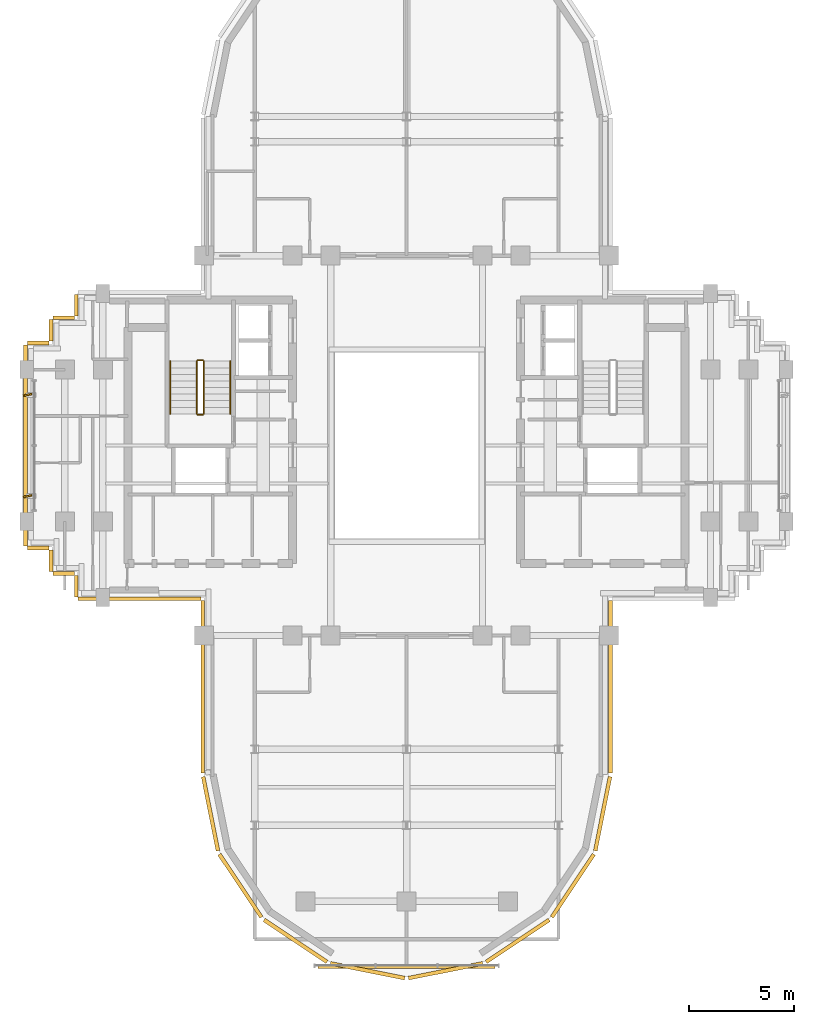
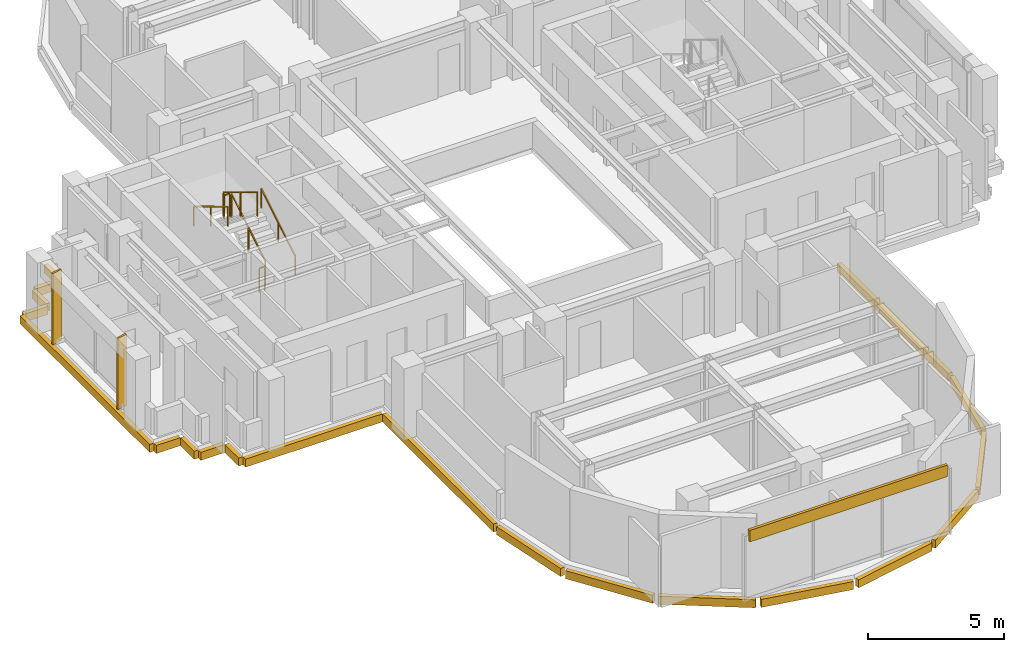
# One storey, part 10 of 12: 21 coverings, 6 railings, 2 shading devices.
"""IFC4 building model written with IfcOpenShell, lengths in metres."""

import ifcopenshell
import ifcopenshell.guid

model = None  # the IFC model being written
_history = None  # IfcOwnerHistory: only IFC2X3 demands one
_inside = {}  # id of a spatial element -> (the spatial element, [elements in it])
_under = {}  # id of a project, library or spatial element -> (it, [spatial elements below it])
_declared = {}  # id of a project -> (the project, [libraries it declares])
_typed = {}  # id of a type object -> (the type object, [elements of that type])
_made_of = {}  # id of a material, layer set ... -> (it, [elements and type objects made of it])


def new_model(schema):
    """Start an empty IFC model of exactly this schema.

    Asked for "IFC4X3", IfcOpenShell would pick the latest addendum, in which some entities
    have other attributes; the version numbers below select the first issue.
    IFC2X3 requires an IfcOwnerHistory on every rooted entity: one is made here for all.
    """
    global model, _history
    if schema == "IFC4X3":
        model = ifcopenshell.file(schema_version=(4, 3, 0, 0))
    else:
        model = ifcopenshell.file(schema=schema)
    _inside.clear()
    _under.clear()
    _declared.clear()
    _typed.clear()
    _made_of.clear()
    _history = None
    if model.schema == "IFC2X3":
        org = make("IfcOrganization", Name="unknown")
        user = make(
            "IfcPersonAndOrganization",
            ThePerson=make("IfcPerson", FamilyName="unknown"),
            TheOrganization=org,
        )
        app = make(
            "IfcApplication",
            ApplicationDeveloper=org,
            Version="unknown",
            ApplicationFullName="unknown",
            ApplicationIdentifier="unknown",
        )
        _history = make(
            "IfcOwnerHistory",
            OwningUser=user,
            OwningApplication=app,
            ChangeAction="ADDED",
            CreationDate=0,
        )
    return model


def make(cls, **values):
    """One entity of the class cls with the attributes given. An attribute that is None is left unset."""
    return model.create_entity(
        cls, **{name: value for name, value in values.items() if value is not None}
    )


def rooted(cls, **values):
    """An entity with a GlobalId (a new one), such as an element, a storey or a relation."""
    return make(cls, GlobalId=ifcopenshell.guid.new(), OwnerHistory=_history, **values)


def si_unit(unit_type, name, prefix=None):
    """IfcSIUnit, for example si_unit("LENGTHUNIT", "METRE", prefix="MILLI")."""
    return make("IfcSIUnit", UnitType=unit_type, Prefix=prefix, Name=name)


def assignment(units):
    """IfcUnitAssignment: the units of a project."""
    return None if units is None else make("IfcUnitAssignment", Units=units)


def point(xyz):
    """IfcCartesianPoint."""
    return None if xyz is None else make("IfcCartesianPoint", Coordinates=xyz)


def direction(xyz):
    """IfcDirection."""
    return None if xyz is None else make("IfcDirection", DirectionRatios=xyz)


def frame(location, z_axis=None, x_axis=None):
    """IfcAxis2Placement3D, a coordinate frame: its origin and axes. An axis left out is left unset."""
    return make(
        "IfcAxis2Placement3D",
        Location=point(location),
        Axis=direction(z_axis),
        RefDirection=direction(x_axis),
    )


def frame_2d(location, x_axis=None):
    """IfcAxis2Placement2D, a coordinate frame in the plane: its origin and x axis."""
    return make(
        "IfcAxis2Placement2D", Location=point(location), RefDirection=direction(x_axis)
    )


def origin():
    """The frame at (0, 0, 0) with its axes left unset."""
    return frame((0.0, 0.0, 0.0))


def origin_2d():
    """The frame at (0, 0) in the plane with its x axis left unset."""
    return frame_2d((0.0, 0.0))


def place(relative_to, where):
    """IfcLocalPlacement: puts the frame where relative to a parent placement (None: the world)."""
    return make(
        "IfcLocalPlacement", PlacementRelTo=relative_to, RelativePlacement=where
    )


def context(
    kind, dimensions, precision=None, world=None, true_north=None, identifier=None
):
    """IfcGeometricRepresentationContext, for example the 3D "Model" context."""
    return make(
        "IfcGeometricRepresentationContext",
        ContextIdentifier=identifier,
        ContextType=kind,
        CoordinateSpaceDimension=dimensions,
        Precision=precision,
        WorldCoordinateSystem=world,
        TrueNorth=true_north,
    )


def subcontext(parent, identifier, kind, view, scale=None):
    """IfcGeometricRepresentationSubContext, for example "Body" below "Model"."""
    return make(
        "IfcGeometricRepresentationSubContext",
        ContextIdentifier=identifier,
        ContextType=kind,
        ParentContext=parent,
        TargetScale=scale,
        TargetView=view,
    )


def project(units=None, contexts=None):
    """IfcProject with its units and contexts."""
    return rooted(
        "IfcProject",
        Name="project",
        RepresentationContexts=contexts,
        UnitsInContext=assignment(units),
    )


def spatial(cls, under=None, at=None, **own):
    """A site, building, storey or space (cls), placed at a placement, below another one or the project."""
    s = rooted(cls, ObjectPlacement=at, **own)
    if under is not None:
        _under.setdefault(under.id(), (under, []))[1].append(s)
    return s


def profile(cls, at=None, kind="AREA", **sizes):
    """A parametric profile (cls). Its sizes go by their IFC names, for example OverallWidth=200.0."""
    return make(cls, ProfileType=kind, Position=at, **sizes)


def rectangle(**sizes):
    """IfcRectangleProfileDef."""
    return profile("IfcRectangleProfileDef", **sizes)


def extrude(swept, where, along, depth):
    """IfcExtrudedAreaSolid: the profile swept, set in the frame where, extruded along a direction by depth."""
    return make(
        "IfcExtrudedAreaSolid",
        SweptArea=swept,
        Position=where,
        ExtrudedDirection=direction(along),
        Depth=depth,
    )


def shape(context_of_items, identifier, shape_type, items):
    """IfcShapeRepresentation: the items that make up one representation, for example the "Body"."""
    return make(
        "IfcShapeRepresentation",
        ContextOfItems=context_of_items,
        RepresentationIdentifier=identifier,
        RepresentationType=shape_type,
        Items=items,
    )


def source(mapping_origin, context_of_items, identifier, shape_type, items):
    """IfcRepresentationMap: a shape defined once, which mapped items show again and again."""
    return make(
        "IfcRepresentationMap",
        MappingOrigin=mapping_origin,
        MappedRepresentation=shape(context_of_items, identifier, shape_type, items),
    )


def transform(
    local_origin,
    x_axis=None,
    y_axis=None,
    z_axis=None,
    scale=None,
    scale2=None,
    scale3=None,
    uniform=True,
):
    """IfcCartesianTransformationOperator3D, or its non-uniform kind. x_axis, y_axis, z_axis: its Axis1, 2, 3."""
    if uniform:
        return make(
            "IfcCartesianTransformationOperator3D",
            Axis1=direction(x_axis),
            Axis2=direction(y_axis),
            LocalOrigin=point(local_origin),
            Scale=scale,
            Axis3=direction(z_axis),
        )
    return make(
        "IfcCartesianTransformationOperator3DnonUniform",
        Axis1=direction(x_axis),
        Axis2=direction(y_axis),
        LocalOrigin=point(local_origin),
        Scale=scale,
        Axis3=direction(z_axis),
        Scale2=scale2,
        Scale3=scale3,
    )


def mapped(mapping_source, mapping_target):
    """IfcMappedItem: shows the shape of a source again, moved by a transform."""
    return make(
        "IfcMappedItem", MappingSource=mapping_source, MappingTarget=mapping_target
    )


def material(Name=None, Category=None):
    """IfcMaterial."""
    return make("IfcMaterial", Name=Name, Category=Category)


def layer(
    of_material, thickness, ventilated=None, Name=None, Category=None, Priority=None
):
    """IfcMaterialLayer: one layer of a wall or slab, of a material (None: an air gap)."""
    return make(
        "IfcMaterialLayer",
        Material=of_material,
        LayerThickness=thickness,
        IsVentilated=ventilated,
        Name=Name,
        Category=Category,
        Priority=Priority,
    )


def layer_set(layers, Name=None):
    """IfcMaterialLayerSet."""
    return make("IfcMaterialLayerSet", MaterialLayers=layers, LayerSetName=Name)


def made_of(thing, what):
    """Note that an element or type object is made of a material, layer set ...; save() writes the relation."""
    if what is not None:
        _made_of.setdefault(what.id(), (what, []))[1].append(thing)
    return thing


def type_object(cls, material=None, **own):
    """A type object (cls), such as IfcWallType, which elements share."""
    return made_of(rooted(cls, **own), material)


def element(
    cls,
    number,
    at=None,
    inside=None,
    cuts=None,
    type_object=None,
    material=None,
    context=None,
    identifier="Body",
    shape_type=None,
    held_by="IfcProductDefinitionShape",
    body=None,
    shapes=None,
    **own,
):
    """One element of the class cls, such as IfcWall. Its Tag is "e" and its number.

    at: its placement. inside: the storey or other place that contains it. cuts: it is an
    opening in that element (IfcRelVoidsElement). A single representation is given by context,
    identifier, shape_type and body (its items); several are given by shapes. held_by: the class
    of the entity that holds the representations. save() writes the other relations.
    """
    e = rooted(cls, Tag="e%d" % number, ObjectPlacement=at, **own)
    if body is not None:
        shapes = [shape(context, identifier, shape_type, body)]
    if shapes is not None:
        e.Representation = make(held_by, Representations=shapes)
    if inside is not None:
        _inside.setdefault(inside.id(), (inside, []))[1].append(e)
    if cuts is not None:
        rooted(
            "IfcRelVoidsElement", RelatingBuildingElement=cuts, RelatedOpeningElement=e
        )
    if type_object is not None:
        _typed.setdefault(type_object.id(), (type_object, []))[1].append(e)
    return made_of(e, material)


def aggregate(whole, parts):
    """IfcRelAggregates: a whole, such as a stair, and the parts it consists of."""
    return rooted("IfcRelAggregates", RelatingObject=whole, RelatedObjects=parts)


def save(model, path):
    """Write the relations noted so far, then the file.

    IfcRelAggregates (storeys below a building ...), IfcRelContainedInSpatialStructure (elements
    in a storey), IfcRelDefinesByType, IfcRelAssociatesMaterial and IfcRelDeclares: one each for
    every whole, place, type object, material and project.
    """
    for whole, parts in _under.values():
        aggregate(whole, parts)
    for where, things in _inside.values():
        rooted(
            "IfcRelContainedInSpatialStructure",
            RelatedElements=things,
            RelatingStructure=where,
        )
    for kind, things in _typed.values():
        rooted("IfcRelDefinesByType", RelatedObjects=things, RelatingType=kind)
    for what, things in _made_of.values():
        rooted("IfcRelAssociatesMaterial", RelatedObjects=things, RelatingMaterial=what)
    for by, libraries in _declared.values():
        rooted("IfcRelDeclares", RelatingContext=by, RelatedDefinitions=libraries)
    model.write(path)


model = new_model("IFC4")

# Units and contexts
model_context = context("Model", 3, precision=1e-05, world=origin(), true_north=direction((0.0, 1.0)))
body_context = subcontext(model_context, "Body", "Model", "MODEL_VIEW")
ifc_project = project(units=[si_unit("LENGTHUNIT", "METRE"), si_unit("AREAUNIT", "SQUARE_METRE"), si_unit("VOLUMEUNIT", "CUBIC_METRE"), si_unit("PLANEANGLEUNIT", "RADIAN"), si_unit("MASSUNIT", "GRAM", prefix="KILO")], contexts=[model_context])

# Site, building, storey
site_placement = place(None, origin())
site = spatial("IfcSite", under=ifc_project, at=site_placement, CompositionType="ELEMENT")
building_placement = place(site_placement, origin())
building = spatial("IfcBuilding", under=site, at=building_placement, Name="Keilestroom Media Tower", CompositionType="ELEMENT")
storey_placement = place(building_placement, frame((0.0, 0.0, 191.0)))
storey = spatial("IfcBuildingStorey", under=building, at=storey_placement, Name="L52", CompositionType="ELEMENT", Elevation=191.0)

# Railings
ifc_material_1 = material(Name="Brushed Stainless Steel 1.4301", Category="steel")
railing_type_1 = type_object("IfcRailingType", Name="Stair-Pitch-Handrail-920", PredefinedType="HANDRAIL", material=ifc_material_1)
railing_1_placement = place(storey_placement, frame((-8.35009765625, 1.5, 0.18896484375)))
element("IfcRailing", 1, at=railing_1_placement, inside=storey, type_object=railing_type_1, Name="L52 ST-1 stair handrail 1", PredefinedType="HANDRAIL", context=body_context, shape_type="SweptSolid", body=[
    extrude(rectangle(XDim=0.048095703125, YDim=0.048095703125, at=origin_2d()), frame((0.0, 0.0, 0.8759765625), z_axis=(0.0, 0.855470815493, 0.517851024754), x_axis=(-1.0, 0.0, 0.0)), (0.0, 0.0, 1.0), 2.917724609375),
    extrude(rectangle(XDim=0.0419921875, YDim=0.0419921875, at=origin_2d()), origin(), (0.0, 0.0, 1.0), 0.84375),
    extrude(rectangle(XDim=0.0419921875, YDim=0.0419921875, at=origin_2d()), frame((0.0, 1.248046875, 0.75537109375)), (0.0, 0.0, 1.0), 0.84375),
    extrude(rectangle(XDim=0.0419921875, YDim=0.0419921875, at=origin_2d()), frame((0.0, 2.49609375, 1.510986328125)), (0.0, 0.0, 1.0), 0.84375),
])
railing_2_placement = place(storey_placement, frame((-11.2099609375, 3.99609375, 1.888916015625)))
element("IfcRailing", 2, at=railing_2_placement, inside=storey, type_object=railing_type_1, Name="L52 ST-1 stair handrail 2", PredefinedType="HANDRAIL", context=body_context, shape_type="SweptSolid", body=[
    extrude(rectangle(XDim=0.048095703125, YDim=0.048095703125, at=origin_2d()), frame((0.0, 0.0, 0.8759765625), z_axis=(0.0, -0.855470815493, 0.517851024754), x_axis=(1.0, 0.0, 0.0)), (0.0, 0.0, 1.0), 2.917724609375),
    extrude(rectangle(XDim=0.0419921875, YDim=0.0419921875, at=origin_2d()), origin(), (0.0, 0.0, 1.0), 0.84375),
    extrude(rectangle(XDim=0.0419921875, YDim=0.0419921875, at=origin_2d()), frame((0.0, -1.248046875, 0.75537109375)), (0.0, 0.0, 1.0), 0.84375),
    extrude(rectangle(XDim=0.0419921875, YDim=0.0419921875, at=origin_2d()), frame((0.0, -2.49609375, 1.510986328125)), (0.0, 0.0, 1.0), 0.84375),
])
ifc_material_2 = material(Name="Painted Steel Balustrade", Category="steel")
railing_type_2 = type_object("IfcRailingType", Name="Stair-Well-And-Landing-Guard-1100", PredefinedType="GUARDRAIL", material=ifc_material_2)
railing_3_placement = place(storey_placement, frame((-9.610107421875, 1.5, 0.18896484375)))
element("IfcRailing", 3, at=railing_3_placement, inside=storey, type_object=railing_type_2, Name="L52 ST-1 stair guard 1", PredefinedType="GUARDRAIL", context=body_context, shape_type="SweptSolid", body=[
    extrude(rectangle(XDim=0.048095703125, YDim=0.048095703125, at=origin_2d()), frame((0.0, 0.0, 1.076171875), z_axis=(0.0, 0.855470815493, 0.517851024754), x_axis=(-1.0, 0.0, 0.0)), (0.0, 0.0, 1.0), 2.917724609375),
    extrude(rectangle(XDim=0.0419921875, YDim=0.0419921875, at=origin_2d()), origin(), (0.0, 0.0, 1.0), 1.0439453125),
    extrude(rectangle(XDim=0.0419921875, YDim=0.0419921875, at=origin_2d()), frame((0.0, 1.248046875, 0.75537109375)), (0.0, 0.0, 1.0), 1.0439453125),
    extrude(rectangle(XDim=0.0419921875, YDim=0.0419921875, at=origin_2d()), frame((0.0, 2.49609375, 1.510986328125)), (0.0, 0.0, 1.0), 1.0439453125),
])
railing_4_placement = place(storey_placement, frame((-9.659912109375, 4.0458984375, 1.699951171875)))
element("IfcRailing", 4, at=railing_4_placement, inside=storey, type_object=railing_type_2, Name="L52 ST-1 stair guard 2", PredefinedType="GUARDRAIL", context=body_context, shape_type="SweptSolid", body=[
    extrude(rectangle(XDim=0.048095703125, YDim=0.048095703125, at=origin_2d()), frame((0.0, 0.0, 1.076171875), z_axis=(-1.0, 0.0, 0.0), x_axis=(0.0, -1.0, 0.0)), (0.0, 0.0, 1.0), 0.239990234375),
    extrude(rectangle(XDim=0.0419921875, YDim=0.0419921875, at=origin_2d()), origin(), (0.0, 0.0, 1.0), 1.0439453125),
    extrude(rectangle(XDim=0.0419921875, YDim=0.0419921875, at=origin_2d()), frame((-0.239990234375, 0.0, 0.0)), (0.0, 0.0, 1.0), 1.0439453125),
])
railing_5_placement = place(storey_placement, frame((-9.949951171875, 3.99609375, 1.888916015625)))
element("IfcRailing", 5, at=railing_5_placement, inside=storey, type_object=railing_type_2, Name="L52 ST-1 stair guard 3", PredefinedType="GUARDRAIL", context=body_context, shape_type="SweptSolid", body=[
    extrude(rectangle(XDim=0.048095703125, YDim=0.048095703125, at=origin_2d()), frame((0.0, 0.0, 1.076171875), z_axis=(0.0, -0.855470815493, 0.517851024754), x_axis=(1.0, 0.0, 0.0)), (0.0, 0.0, 1.0), 2.917724609375),
    extrude(rectangle(XDim=0.0419921875, YDim=0.0419921875, at=origin_2d()), origin(), (0.0, 0.0, 1.0), 1.0439453125),
    extrude(rectangle(XDim=0.0419921875, YDim=0.0419921875, at=origin_2d()), frame((0.0, -1.248046875, 0.75537109375)), (0.0, 0.0, 1.0), 1.0439453125),
    extrude(rectangle(XDim=0.0419921875, YDim=0.0419921875, at=origin_2d()), frame((0.0, -2.49609375, 1.510986328125)), (0.0, 0.0, 1.0), 1.0439453125),
])
railing_6_placement = place(storey_placement, frame((-9.659912109375, 1.449951171875, 0.0)))
element("IfcRailing", 6, at=railing_6_placement, inside=storey, type_object=railing_type_2, Name="L52 ST-1 stair guard 4", PredefinedType="GUARDRAIL", context=body_context, shape_type="SweptSolid", body=[
    extrude(rectangle(XDim=0.048095703125, YDim=0.048095703125, at=origin_2d()), frame((0.0, 0.0, 1.076171875), z_axis=(-1.0, 0.0, 0.0), x_axis=(0.0, -1.0, 0.0)), (0.0, 0.0, 1.0), 0.239990234375),
    extrude(rectangle(XDim=0.0419921875, YDim=0.0419921875, at=origin_2d()), origin(), (0.0, 0.0, 1.0), 1.0439453125),
    extrude(rectangle(XDim=0.0419921875, YDim=0.0419921875, at=origin_2d()), frame((-0.239990234375, 0.0, 0.0)), (0.0, 0.0, 1.0), 1.0439453125),
])

# Covering
ifc_material_3 = material(Name="Precast concrete C40/50", Category="concrete")
ifc_layer = layer(ifc_material_3, 0.1201171875)
ifc_layer_set = layer_set([ifc_layer], Name="Precast concrete C40/50")
covering_type = type_object("IfcCoveringType", Name="Exterior-Precast-Spandrel-Cladding-Panel-120", PredefinedType="CLADDING", material=ifc_layer_set)
shared_shape_1 = source(origin(), body_context, "Body", "SweptSolid", [
    extrude(rectangle(XDim=8.39990234375, YDim=0.1201171875, at=origin_2d()), origin(), (0.0, 0.0, 1.0), 0.52001953125),
])
covering_1_placement = place(storey_placement, frame((0.0, -24.719970703125, 2.68994140625), z_axis=(0.0, 0.0, 1.0), x_axis=(1.0, 0.0, 0.0)))
element("IfcCovering", 7, at=covering_1_placement, inside=storey, type_object=covering_type, Name="L52 Precast Spandrel Cladding S", PredefinedType="CLADDING", context=body_context, shape_type="MappedRepresentation", body=[
    mapped(shared_shape_1, transform((0.0, 0.0, 0.0), x_axis=(1.0, 0.0, 0.0), y_axis=(0.0, 1.0, 0.0), z_axis=(0.0, 0.0, 1.0), scale=1.0)),
])

# Shading devices
ifc_material_4 = material(Name="Bronze Anodised Aluminium", Category="aluminium")
shading_device_type = type_object("IfcShadingDeviceType", Name="Facade-Vertical-Sunshade-Fin-SHD-1", PredefinedType="USERDEFINED", material=ifc_material_4)
shared_shape_2 = source(origin(), body_context, "Body", "SweptSolid", [
    extrude(rectangle(XDim=0.419921875, YDim=0.080078125, at=origin_2d()), origin(), (0.0, 0.0, 1.0), 3.199951171875),
])
for number, where, z_axis, x_axis, name in (
    (8, (-17.969970703125, -2.39990234375, 0.0), (0.0, 0.0, 1.0), (0.979080999763, 0.203470872369, 0.0), "L52 Twisting Sunshade Fin SHD-1 073"),
    (9, (-17.969970703125, 2.39990234375, 0.0), (0.0, 0.0, 1.0), (0.979080999763, 0.203470872369, 0.0), "L52 Twisting Sunshade Fin SHD-1 074"),
):
    element("IfcShadingDevice", number, at=place(storey_placement, frame(where, z_axis=z_axis, x_axis=x_axis)), inside=storey, type_object=shading_device_type, Name=name, ObjectType="SUNSHADE", PredefinedType="USERDEFINED", context=body_context, shape_type="MappedRepresentation", body=[
        mapped(shared_shape_2, transform((0.0, 0.0, 0.0), x_axis=(1.0, 0.0, 0.0), y_axis=(0.0, 1.0, 0.0), z_axis=(0.0, 0.0, 1.0), scale=1.0)),
    ])

# Coverings
shared_shape_3 = source(origin(), body_context, "Body", "SweptSolid", [
    extrude(rectangle(XDim=1.02001953125, YDim=0.179931640625, at=origin_2d()), origin(), (0.0, 0.0, 1.0), 0.360107421875),
])
for number, where, z_axis, x_axis, name in (
    (10, (-15.659912109375, -6.659912109375, -0.5400390625), (0.0, 0.0, 1.0), (0.0, 1.0, 0.0), "L52 Precast Slab-Edge Fascia Cornice 17"),
    (11, (-16.260009765625, -6.06005859375, -0.5400390625), (0.0, 0.0, 1.0), (-1.0, 0.0, 0.0), "L52 Precast Slab-Edge Fascia Cornice 18"),
    (12, (-16.860107421875, -5.4599609375, -0.5400390625), (0.0, 0.0, 1.0), (0.0, 1.0, 0.0), "L52 Precast Slab-Edge Fascia Cornice 19"),
    (13, (-17.4599609375, -4.860107421875, -0.5400390625), (0.0, 0.0, 1.0), (-1.0, 0.0, 0.0), "L52 Precast Slab-Edge Fascia Cornice 20"),
    (14, (-17.4599609375, 4.860107421875, -0.5400390625), (0.0, 0.0, 1.0), (1.0, 0.0, 0.0), "L52 Precast Slab-Edge Fascia Cornice 22"),
    (15, (-16.860107421875, 5.4599609375, -0.5400390625), (0.0, 0.0, 1.0), (0.0, 1.0, 0.0), "L52 Precast Slab-Edge Fascia Cornice 23"),
    (16, (-16.260009765625, 6.06005859375, -0.5400390625), (0.0, 0.0, 1.0), (1.0, 0.0, 0.0), "L52 Precast Slab-Edge Fascia Cornice 24"),
    (17, (-15.659912109375, 6.659912109375, -0.5400390625), (0.0, 0.0, 1.0), (0.0, 1.0, 0.0), "L52 Precast Slab-Edge Fascia Cornice 25"),
):
    element("IfcCovering", number, at=place(storey_placement, frame(where, z_axis=z_axis, x_axis=x_axis)), inside=storey, type_object=covering_type, Name=name, PredefinedType="CLADDING", context=body_context, shape_type="MappedRepresentation", body=[
        mapped(shared_shape_3, transform((0.0, 0.0, 0.0), x_axis=(1.0, 0.0, 0.0), y_axis=(0.0, 1.0, 0.0), z_axis=(0.0, 0.0, 1.0), scale=1.0)),
    ])
shared_shape_4 = source(origin(), body_context, "Body", "SweptSolid", [
    extrude(rectangle(XDim=8.166015625, YDim=0.179931640625, at=origin_2d()), origin(), (0.0, 0.0, 1.0), 0.360107421875),
])
for number, where, z_axis, x_axis, name in (
    (18, (9.659912109375, -11.43310546875, -0.5400390625), (0.0, 0.0, 1.0), (0.0, -1.0, 0.0), "L52 Precast Slab-Edge Fascia Cornice 06"),
    (19, (-9.659912109375, -11.43310546875, -0.5400390625), (0.0, 0.0, 1.0), (0.0, 1.0, 0.0), "L52 Precast Slab-Edge Fascia Cornice 15"),
):
    element("IfcCovering", number, at=place(storey_placement, frame(where, z_axis=z_axis, x_axis=x_axis)), inside=storey, type_object=covering_type, Name=name, PredefinedType="CLADDING", context=body_context, shape_type="MappedRepresentation", body=[
        mapped(shared_shape_4, transform((0.0, 0.0, 0.0), x_axis=(1.0, 0.0, 0.0), y_axis=(0.0, 1.0, 0.0), z_axis=(0.0, 0.0, 1.0), scale=1.0)),
    ])
shared_shape_5 = source(origin(), body_context, "Body", "SweptSolid", [
    extrude(rectangle(XDim=3.58349609375, YDim=0.179931640625, at=origin_2d()), origin(), (0.0, 0.0, 1.0), 0.360107421875),
])
for number, where, z_axis, x_axis, name in (
    (20, (9.29296875, -17.45166015625, -0.5400390625), (0.0, 0.0, 1.0), (-0.195098880975, -0.980783577882, 0.0), "L52 Precast Slab-Edge Fascia Cornice 07"),
    (21, (-9.29296875, -17.45166015625, -0.5400390625), (0.0, 0.0, 1.0), (-0.195098880975, 0.980783577882, 0.0), "L52 Precast Slab-Edge Fascia Cornice 14"),
):
    element("IfcCovering", number, at=place(storey_placement, frame(where, z_axis=z_axis, x_axis=x_axis)), inside=storey, type_object=covering_type, Name=name, PredefinedType="CLADDING", context=body_context, shape_type="MappedRepresentation", body=[
        mapped(shared_shape_5, transform((0.0, 0.0, 0.0), x_axis=(1.0, 0.0, 0.0), y_axis=(0.0, 1.0, 0.0), z_axis=(0.0, 0.0, 1.0), scale=1.0)),
    ])
shared_shape_6 = source(origin(), body_context, "Body", "SweptSolid", [
    extrude(rectangle(XDim=3.589599609375, YDim=0.179931640625, at=origin_2d()), origin(), (0.0, 0.0, 1.0), 0.360107421875),
])
for number, where, z_axis, x_axis, name in (
    (22, (7.878662109375, -20.8642578125, -0.5400390625), (0.0, 0.0, 1.0), (-0.555574586577, -0.831466703332, 0.0), "L52 Precast Slab-Edge Fascia Cornice 08"),
    (23, (5.264404296875, -23.478515625, -0.5400390625), (0.0, 0.0, 1.0), (-0.831466703332, -0.555574586577, 0.0), "L52 Precast Slab-Edge Fascia Cornice 09"),
    (24, (1.8486328125, -24.893310546875, -0.5400390625), (0.0, 0.0, 1.0), (-0.980783577882, -0.195098880975, 0.0), "L52 Precast Slab-Edge Fascia Cornice 10"),
    (25, (-1.8486328125, -24.893310546875, -0.5400390625), (0.0, 0.0, 1.0), (-0.980783577882, 0.195098880975, 0.0), "L52 Precast Slab-Edge Fascia Cornice 11"),
    (26, (-5.264404296875, -23.478515625, -0.5400390625), (0.0, 0.0, 1.0), (-0.831466703332, 0.555574586577, 0.0), "L52 Precast Slab-Edge Fascia Cornice 12"),
    (27, (-7.878662109375, -20.8642578125, -0.5400390625), (0.0, 0.0, 1.0), (-0.555574586577, 0.831466703332, 0.0), "L52 Precast Slab-Edge Fascia Cornice 13"),
):
    element("IfcCovering", number, at=place(storey_placement, frame(where, z_axis=z_axis, x_axis=x_axis)), inside=storey, type_object=covering_type, Name=name, PredefinedType="CLADDING", context=body_context, shape_type="MappedRepresentation", body=[
        mapped(shared_shape_6, transform((0.0, 0.0, 0.0), x_axis=(1.0, 0.0, 0.0), y_axis=(0.0, 1.0, 0.0), z_axis=(0.0, 0.0, 1.0), scale=1.0)),
    ])
shared_shape_7 = source(origin(), body_context, "Body", "SweptSolid", [
    extrude(rectangle(XDim=9.5400390625, YDim=0.179931640625, at=origin_2d()), origin(), (0.0, 0.0, 1.0), 0.360107421875),
])
covering_2_placement = place(storey_placement, frame((-18.06005859375, 0.0, -0.5400390625), z_axis=(0.0, 0.0, 1.0), x_axis=(0.0, 1.0, 0.0)))
element("IfcCovering", 28, at=covering_2_placement, inside=storey, type_object=covering_type, Name="L52 Precast Slab-Edge Fascia Cornice 21", PredefinedType="CLADDING", context=body_context, shape_type="MappedRepresentation", body=[
    mapped(shared_shape_7, transform((0.0, 0.0, 0.0), x_axis=(1.0, 0.0, 0.0), y_axis=(0.0, 1.0, 0.0), z_axis=(0.0, 0.0, 1.0), scale=1.0)),
])
shared_shape_8 = source(origin(), body_context, "Body", "SweptSolid", [
    extrude(rectangle(XDim=5.820068359375, YDim=0.179931640625, at=origin_2d()), origin(), (0.0, 0.0, 1.0), 0.360107421875),
])
covering_3_placement = place(storey_placement, frame((-12.659912109375, -7.260009765625, -0.5400390625), z_axis=(0.0, 0.0, 1.0), x_axis=(-1.0, 0.0, 0.0)))
element("IfcCovering", 29, at=covering_3_placement, inside=storey, type_object=covering_type, Name="L52 Precast Slab-Edge Fascia Cornice 16", PredefinedType="CLADDING", context=body_context, shape_type="MappedRepresentation", body=[
    mapped(shared_shape_8, transform((0.0, 0.0, 0.0), x_axis=(1.0, 0.0, 0.0), y_axis=(0.0, 1.0, 0.0), z_axis=(0.0, 0.0, 1.0), scale=1.0)),
])

save(model, "model.ifc")
